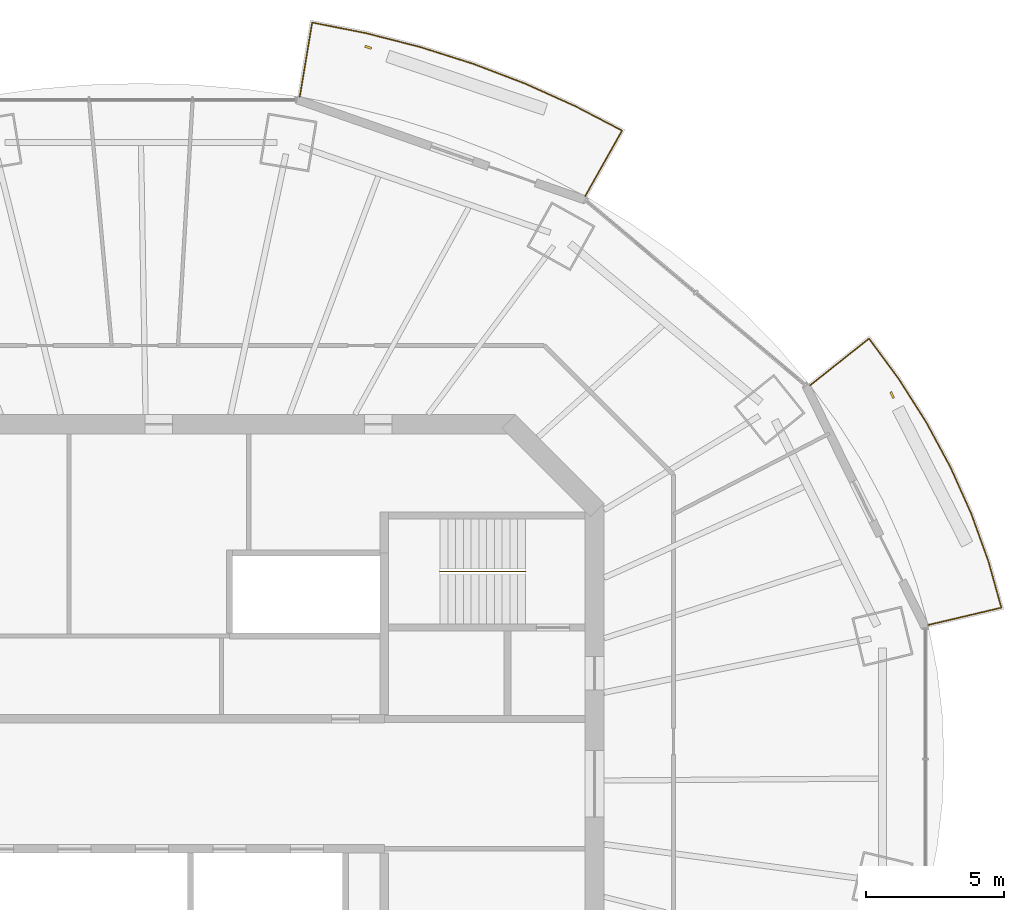
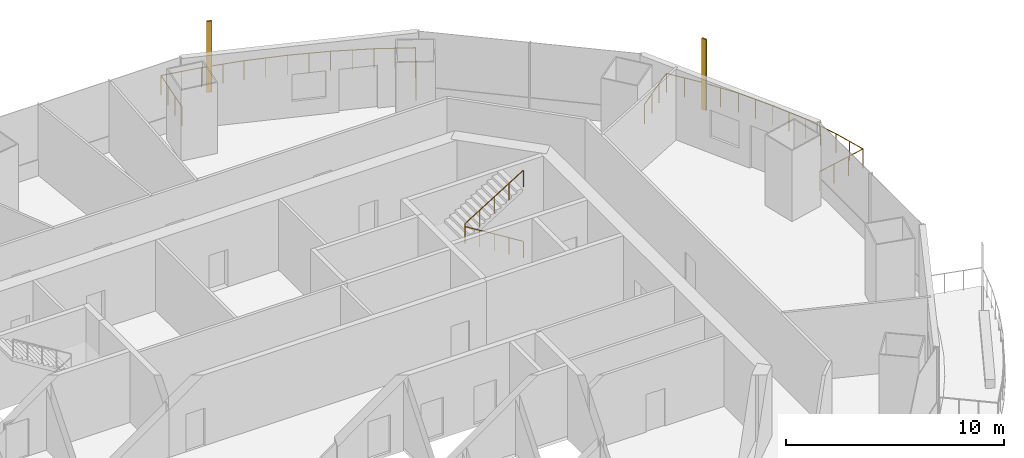
# One storey, part 15 of 16: 3 railings, 2 shading devices.
"""IFC4 building model written with IfcOpenShell, lengths in metres."""

from ifc_helpers import new_model, si_unit, direction, frame, origin, origin_2d, place, context, subcontext, project, spatial, rectangle, circle, extrude, material, material_profile, profile_set, type_object, element, save


model = new_model("IFC4")

# Units and contexts
model_context = context("Model", 3, precision=1e-05, world=origin(), true_north=direction((0.0, 1.0)))
body_context = subcontext(model_context, "Body", "Model", "MODEL_VIEW")
ifc_project = project(units=[si_unit("LENGTHUNIT", "METRE"), si_unit("AREAUNIT", "SQUARE_METRE"), si_unit("VOLUMEUNIT", "CUBIC_METRE"), si_unit("PLANEANGLEUNIT", "RADIAN"), si_unit("MASSUNIT", "GRAM", prefix="KILO")], contexts=[model_context])

# Site, building, storey
site_placement = place(None, origin())
site = spatial("IfcSite", under=ifc_project, at=site_placement, CompositionType="ELEMENT")
building_placement = place(site_placement, origin())
building = spatial("IfcBuilding", under=site, at=building_placement, Name="Marenthal Gate Tower", CompositionType="ELEMENT")
storey_placement = place(building_placement, frame((0.0, 0.0, 292.800048828125)))
storey = spatial("IfcBuildingStorey", under=building, at=storey_placement, Name="L65", CompositionType="ELEMENT", Elevation=292.800048828125)

# Railings
ifc_material_1 = material(Name="Stainless steel", Category="steel")
railing_type_1 = type_object("IfcRailingType", Name="Balcony guard 1100", PredefinedType="GUARDRAIL", material=ifc_material_1)
railing_1_placement = place(storey_placement, frame((23.7939453125, 14.406005859375, 0.0)))
element("IfcRailing", 1, at=railing_1_placement, inside=storey, type_object=railing_type_1, Name="Balcony guard L65 bay 1", PredefinedType="GUARDRAIL", context=body_context, shape_type="SweptSolid", body=[
    extrude(circle(Radius=0.02392578125, at=origin_2d()), frame((0.0, 0.0, 1.076171875), z_axis=(0.783212380728, 0.621580033106, -0.014718325936), x_axis=(-0.621647370214, 0.783297227817, 0.0)), (0.0, 0.0, 1.0), 2.720458984375),
    extrude(circle(Radius=0.02392578125, at=origin_2d()), frame((2.130615234375, 1.69091796875, 1.0361328125), z_axis=(0.593175870863, -0.805072907398, 0.0), x_axis=(0.805072907398, 0.593175870863, 0.0)), (0.0, 0.0, 1.0), 1.79736328125),
    extrude(circle(Radius=0.02392578125, at=origin_2d()), frame((3.19677734375, 0.243896484375, 1.0361328125), z_axis=(0.536341470097, -0.844001082614, 0.0), x_axis=(0.844001082614, 0.536341470097, 0.0)), (0.0, 0.0, 1.0), 1.864013671875),
    extrude(circle(Radius=0.02392578125, at=origin_2d()), frame((4.196533203125, -1.329345703125, 1.0361328125), z_axis=(0.474178476771, -0.880428743379, 0.0), x_axis=(0.880428743379, 0.474178476771, 0.0)), (0.0, 0.0, 1.0), 1.85107421875),
    extrude(circle(Radius=0.02392578125, at=origin_2d()), frame((5.07421875, -2.958984375, 1.0361328125), z_axis=(0.408427160426, -0.912790915066, 0.0), x_axis=(0.912790915066, 0.408427160426, 0.0)), (0.0, 0.0, 1.0), 1.83984375),
    extrude(circle(Radius=0.02392578125, at=origin_2d()), frame((5.82568359375, -4.638427734375, 1.0361328125), z_axis=(0.339224848664, -0.94070532158, 0.0), x_axis=(0.94070532158, 0.339224848664, 0.0)), (0.0, 0.0, 1.0), 1.830322265625),
    extrude(circle(Radius=0.02392578125, at=origin_2d()), frame((6.446533203125, -6.360107421875, 1.0361328125), z_axis=(0.268792920524, -0.963197988929, 0.0), x_axis=(0.963197988929, 0.268792920524, 0.0)), (0.0, 0.0, 1.0), 1.7421875),
    extrude(circle(Radius=0.02392578125, at=origin_2d()), frame((6.914794921875, -8.0380859375, 1.0361328125), z_axis=(-0.973097096147, -0.229924814196, 0.014718059925), x_axis=(0.229949721547, -0.973202510046, 0.0)), (0.0, 0.0, 1.0), 2.720458984375),
    extrude(circle(Radius=0.02099609375, at=origin_2d()), origin(), (0.0, 0.0, 1.0), 1.052001953125),
    extrude(circle(Radius=0.02099609375, at=origin_2d()), frame((0.710205078125, 0.563720703125, -0.013427734375)), (0.0, 0.0, 1.0), 1.052001953125),
    extrude(circle(Radius=0.02099609375, at=origin_2d()), frame((1.42041015625, 1.127197265625, -0.026611328125)), (0.0, 0.0, 1.0), 1.052001953125),
    extrude(circle(Radius=0.02099609375, at=origin_2d()), frame((2.130615234375, 1.69091796875, -0.0400390625)), (0.0, 0.0, 1.0), 1.052001953125),
    extrude(circle(Radius=0.02099609375, at=origin_2d()), frame((2.66357421875, 0.96728515625, -0.0400390625)), (0.0, 0.0, 1.0), 1.052001953125),
    extrude(circle(Radius=0.02099609375, at=origin_2d()), frame((3.19677734375, 0.243896484375, -0.0400390625)), (0.0, 0.0, 1.0), 1.052001953125),
    extrude(circle(Radius=0.02099609375, at=origin_2d()), frame((3.69677734375, -0.542724609375, -0.0400390625)), (0.0, 0.0, 1.0), 1.052001953125),
    extrude(circle(Radius=0.02099609375, at=origin_2d()), frame((4.196533203125, -1.329345703125, -0.0400390625)), (0.0, 0.0, 1.0), 1.052001953125),
    extrude(circle(Radius=0.02099609375, at=origin_2d()), frame((4.63525390625, -2.14404296875, -0.0400390625)), (0.0, 0.0, 1.0), 1.052001953125),
    extrude(circle(Radius=0.02099609375, at=origin_2d()), frame((5.07421875, -2.958984375, -0.0400390625)), (0.0, 0.0, 1.0), 1.052001953125),
    extrude(circle(Radius=0.02099609375, at=origin_2d()), frame((5.449951171875, -3.798828125, -0.0400390625)), (0.0, 0.0, 1.0), 1.052001953125),
    extrude(circle(Radius=0.02099609375, at=origin_2d()), frame((5.82568359375, -4.638427734375, -0.0400390625)), (0.0, 0.0, 1.0), 1.052001953125),
    extrude(circle(Radius=0.02099609375, at=origin_2d()), frame((6.13623046875, -5.499267578125, -0.0400390625)), (0.0, 0.0, 1.0), 1.052001953125),
    extrude(circle(Radius=0.02099609375, at=origin_2d()), frame((6.446533203125, -6.360107421875, -0.0400390625)), (0.0, 0.0, 1.0), 1.052001953125),
    extrude(circle(Radius=0.02099609375, at=origin_2d()), frame((6.6806640625, -7.19921875, -0.0400390625)), (0.0, 0.0, 1.0), 1.052001953125),
    extrude(circle(Radius=0.02099609375, at=origin_2d()), frame((6.914794921875, -8.0380859375, -0.0400390625)), (0.0, 0.0, 1.0), 1.052001953125),
    extrude(circle(Radius=0.02099609375, at=origin_2d()), frame((6.032470703125, -8.24658203125, -0.026611328125)), (0.0, 0.0, 1.0), 1.052001953125),
    extrude(circle(Radius=0.02099609375, at=origin_2d()), frame((5.14990234375, -8.455078125, -0.013427734375)), (0.0, 0.0, 1.0), 1.052001953125),
    extrude(circle(Radius=0.02099609375, at=origin_2d()), frame((4.267578125, -8.66357421875, 0.0)), (0.0, 0.0, 1.0), 1.052001953125),
])
railing_2_placement = place(storey_placement, frame((5.343994140625, 24.840576171875, 0.0)))
element("IfcRailing", 2, at=railing_2_placement, inside=storey, type_object=railing_type_1, Name="Balcony guard L65 bay 3", PredefinedType="GUARDRAIL", context=body_context, shape_type="SweptSolid", body=[
    extrude(circle(Radius=0.02392578125, at=origin_2d()), frame((0.0, 0.0, 1.076171875), z_axis=(0.16513793129, 0.986160646201, -0.014718815615), x_axis=(-0.986267486225, 0.165155822229, 0.0)), (0.0, 0.0, 1.0), 2.72021484375),
    extrude(circle(Radius=0.02392578125, at=origin_2d()), frame((0.44921875, 2.6826171875, 1.0361328125), z_axis=(0.981071534784, -0.193645665165, 0.0), x_axis=(0.193645665165, 0.981071534784, 0.0)), (0.0, 0.0, 1.0), 1.9580078125),
    extrude(circle(Radius=0.02392578125, at=origin_2d()), frame((2.3701171875, 2.303466796875, 1.0361328125), z_axis=(0.968985746555, -0.247116618165, 0.0), x_axis=(0.247116618165, 0.968985746555, 0.0)), (0.0, 0.0, 1.0), 2.0302734375),
    extrude(circle(Radius=0.02392578125, at=origin_2d()), frame((4.33740234375, 1.8017578125, 1.0361328125), z_axis=(0.953335850503, -0.301911835054, 0.0), x_axis=(0.301911835054, 0.953335850503, 0.0)), (0.0, 0.0, 1.0), 2.020751953125),
    extrude(circle(Radius=0.02392578125, at=origin_2d()), frame((6.263916015625, 1.191650390625, 1.0361328125), z_axis=(0.934433846475, -0.356136752614, 0.0), x_axis=(0.356136752614, 0.934433846475, 0.0)), (0.0, 0.0, 1.0), 2.010009765625),
    extrude(circle(Radius=0.02392578125, at=origin_2d()), frame((8.14208984375, 0.475830078125, 1.0361328125), z_axis=(0.912074652347, -0.41002418044, 0.0), x_axis=(0.41002418044, 0.912074652347, 0.0)), (0.0, 0.0, 1.0), 1.99755859375),
    extrude(circle(Radius=0.02392578125, at=origin_2d()), frame((9.964111328125, -0.34326171875, 1.0361328125), z_axis=(0.886680853455, -0.46238194614, 0.0), x_axis=(0.46238194614, 0.886680853455, 0.0)), (0.0, 0.0, 1.0), 1.904052734375),
    extrude(circle(Radius=0.02392578125, at=origin_2d()), frame((11.65234375, -1.2236328125, 1.0361328125), z_axis=(-0.490178311325, -0.871497909425, 0.014717913412), x_axis=(0.871592315383, -0.490231410423, 0.0)), (0.0, 0.0, 1.0), 2.720458984375),
    extrude(circle(Radius=0.02099609375, at=origin_2d()), origin(), (0.0, 0.0, 1.0), 1.052001953125),
    extrude(circle(Radius=0.02099609375, at=origin_2d()), frame((0.149658203125, 0.894287109375, -0.013427734375)), (0.0, 0.0, 1.0), 1.052001953125),
    extrude(circle(Radius=0.02099609375, at=origin_2d()), frame((0.299560546875, 1.788330078125, -0.026611328125)), (0.0, 0.0, 1.0), 1.052001953125),
    extrude(circle(Radius=0.02099609375, at=origin_2d()), frame((0.44921875, 2.6826171875, -0.0400390625)), (0.0, 0.0, 1.0), 1.052001953125),
    extrude(circle(Radius=0.02099609375, at=origin_2d()), frame((1.40966796875, 2.4931640625, -0.0400390625)), (0.0, 0.0, 1.0), 1.052001953125),
    extrude(circle(Radius=0.02099609375, at=origin_2d()), frame((2.3701171875, 2.303466796875, -0.0400390625)), (0.0, 0.0, 1.0), 1.052001953125),
    extrude(circle(Radius=0.02099609375, at=origin_2d()), frame((3.353759765625, 2.052734375, -0.0400390625)), (0.0, 0.0, 1.0), 1.052001953125),
    extrude(circle(Radius=0.02099609375, at=origin_2d()), frame((4.33740234375, 1.8017578125, -0.0400390625)), (0.0, 0.0, 1.0), 1.052001953125),
    extrude(circle(Radius=0.02099609375, at=origin_2d()), frame((5.30078125, 1.49658203125, -0.0400390625)), (0.0, 0.0, 1.0), 1.052001953125),
    extrude(circle(Radius=0.02099609375, at=origin_2d()), frame((6.263916015625, 1.191650390625, -0.0400390625)), (0.0, 0.0, 1.0), 1.052001953125),
    extrude(circle(Radius=0.02099609375, at=origin_2d()), frame((7.203125, 0.833740234375, -0.0400390625)), (0.0, 0.0, 1.0), 1.052001953125),
    extrude(circle(Radius=0.02099609375, at=origin_2d()), frame((8.14208984375, 0.475830078125, -0.0400390625)), (0.0, 0.0, 1.0), 1.052001953125),
    extrude(circle(Radius=0.02099609375, at=origin_2d()), frame((9.05322265625, 0.06640625, -0.0400390625)), (0.0, 0.0, 1.0), 1.052001953125),
    extrude(circle(Radius=0.02099609375, at=origin_2d()), frame((9.964111328125, -0.34326171875, -0.0400390625)), (0.0, 0.0, 1.0), 1.052001953125),
    extrude(circle(Radius=0.02099609375, at=origin_2d()), frame((10.80810546875, -0.783447265625, -0.0400390625)), (0.0, 0.0, 1.0), 1.052001953125),
    extrude(circle(Radius=0.02099609375, at=origin_2d()), frame((11.65234375, -1.2236328125, -0.0400390625)), (0.0, 0.0, 1.0), 1.052001953125),
    extrude(circle(Radius=0.02099609375, at=origin_2d()), frame((11.207763671875, -2.013916015625, -0.026611328125)), (0.0, 0.0, 1.0), 1.052001953125),
    extrude(circle(Radius=0.02099609375, at=origin_2d()), frame((10.763427734375, -2.80419921875, -0.013427734375)), (0.0, 0.0, 1.0), 1.052001953125),
    extrude(circle(Radius=0.02099609375, at=origin_2d()), frame((10.31884765625, -3.594482421875, 0.0)), (0.0, 0.0, 1.0), 1.052001953125),
])
ifc_material_2 = material(Name="Stainless steel", Category="steel")
railing_type_2 = type_object("IfcRailingType", Name="Stair handrail", PredefinedType="HANDRAIL", material=ifc_material_2)
railing_3_placement = place(storey_placement, frame((13.5, 7.675048828125, 0.1728515625)))
element("IfcRailing", 3, at=railing_3_placement, inside=storey, type_object=railing_type_2, Name="Handrail ST3", PredefinedType="HANDRAIL", context=body_context, shape_type="SweptSolid", body=[
    extrude(circle(Radius=0.0224609375, at=origin_2d()), frame((0.0, 0.0, 0.927490234375), z_axis=(-0.850835241893, 0.0, 0.525432575268), x_axis=(0.0, -1.0, 0.0)), (0.0, 0.0, 1.0), 3.6201171875),
    extrude(circle(Radius=0.0224609375, at=origin_2d()), frame((-3.080078125, 0.0, 2.82958984375), z_axis=(0.0, 0.0, 1.0), x_axis=(1.0, 0.0, 0.0)), (0.0, 0.0, 1.0), 0.1728515625),
    extrude(circle(Radius=0.0224609375, at=origin_2d()), frame((-3.080078125, 0.0, 3.00244140625), z_axis=(0.850835241893, 0.0, 0.525432575268), x_axis=(0.0, 1.0, 0.0)), (0.0, 0.0, 1.0), 3.6201171875),
    extrude(circle(Radius=0.02001953125, at=origin_2d()), origin(), (0.0, 0.0, 1.0), 0.905029296875),
    extrude(circle(Radius=0.02001953125, at=origin_2d()), frame((-0.77001953125, 0.0, 0.4755859375)), (0.0, 0.0, 1.0), 0.905029296875),
    extrude(circle(Radius=0.02001953125, at=origin_2d()), frame((-1.5400390625, 0.0, 0.951171875)), (0.0, 0.0, 1.0), 0.905029296875),
    extrude(circle(Radius=0.02001953125, at=origin_2d()), frame((-2.31005859375, 0.0, 1.426513671875)), (0.0, 0.0, 1.0), 0.905029296875),
    extrude(circle(Radius=0.02001953125, at=origin_2d()), frame((-3.080078125, 0.0, 1.902099609375)), (0.0, 0.0, 1.0), 0.905029296875),
    extrude(circle(Radius=0.02001953125, at=origin_2d()), frame((-3.080078125, 0.0, 2.074951171875)), (0.0, 0.0, 1.0), 0.905029296875),
    extrude(circle(Radius=0.02001953125, at=origin_2d()), frame((-2.31005859375, 0.0, 2.550537109375)), (0.0, 0.0, 1.0), 0.905029296875),
    extrude(circle(Radius=0.02001953125, at=origin_2d()), frame((-1.5400390625, 0.0, 3.02587890625)), (0.0, 0.0, 1.0), 0.905029296875),
    extrude(circle(Radius=0.02001953125, at=origin_2d()), frame((-0.77001953125, 0.0, 3.50146484375)), (0.0, 0.0, 1.0), 0.905029296875),
    extrude(circle(Radius=0.02001953125, at=origin_2d()), frame((0.0, 0.0, 3.97705078125)), (0.0, 0.0, 1.0), 0.905029296875),
])

# Shading devices
ifc_material_3 = material(Name="Terracotta", Category="masonry")
ifc_material_profile = material_profile(ifc_material_3, rectangle(XDim=0.25, YDim=0.080078125, at=origin_2d()), Name="Terracotta baguette 250x80")
ifc_profile_set = profile_set([ifc_material_profile], Name="Terracotta")
shading_device_type = type_object("IfcShadingDeviceType", Name="Terracotta BAGUETTE SCREEN 250x80", PredefinedType="USERDEFINED", material=ifc_profile_set)
for number, where, z_axis, x_axis, name in (
    (4, (26.760498046875, 14.056884765625, -0.0400390625), (0.0, 0.0, 1.0), (-0.441711416968, 0.897157190307, 0.0), "Terracotta BAGUETTE L65 bay 1R"),
    (5, (7.819091796875, 26.628173828125, -0.0400390625), (0.0, 0.0, 1.0), (-0.944304873933, 0.329071884345, 0.0), "Terracotta BAGUETTE L65 bay 3R"),
):
    element("IfcShadingDevice", number, at=place(storey_placement, frame(where, z_axis=z_axis, x_axis=x_axis)), inside=storey, type_object=shading_device_type, Name=name, ObjectType="BAGUETTE SCREEN", PredefinedType="USERDEFINED", context=body_context, shape_type="SweptSolid", body=[
        extrude(rectangle(XDim=0.25, YDim=0.080078125, at=origin_2d()), origin(), (0.0, 0.0, 1.0), 3.969970703125),
    ])

save(model, "model.ifc")
